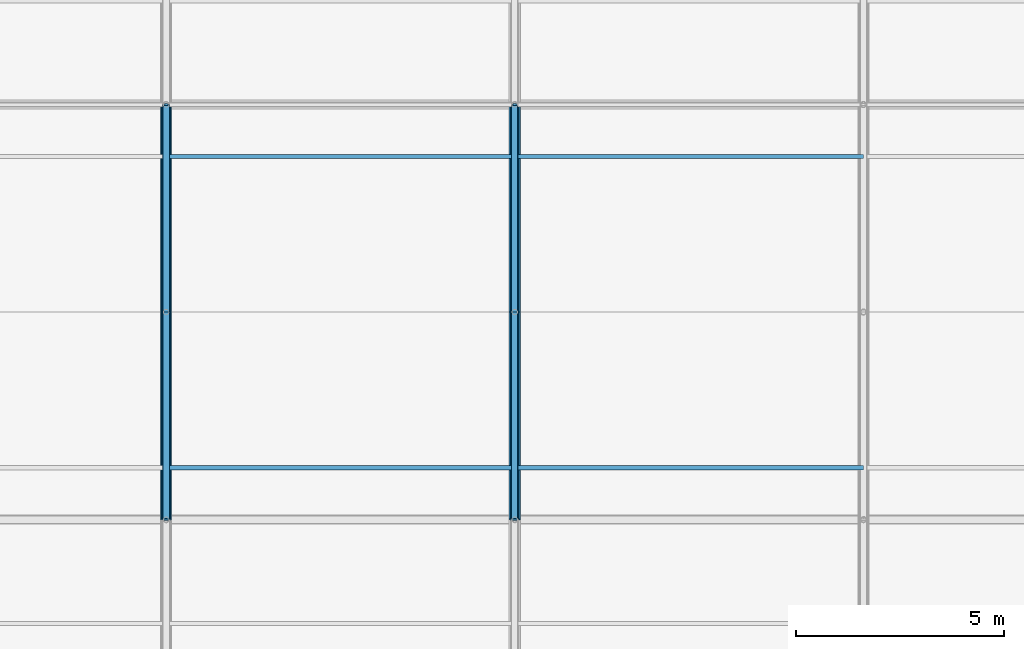
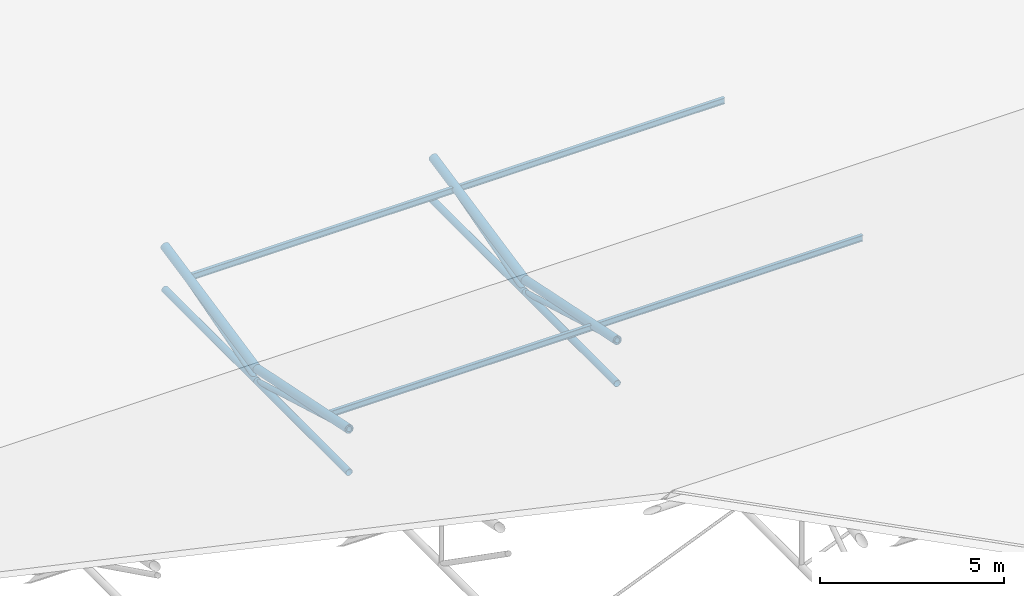
# One storey, part 89 of 194: 12 members, 4 beams.
"""IFC4 building model written with IfcOpenShell, lengths in metres."""

from ifc_helpers import new_model, si_unit, direction, frame, origin, origin_2d, place, context, subcontext, project, spatial, hollow_circle, i_section, extrude, material, material_profile, profile_set, type_object, element, save


model = new_model("IFC4")

# Units and contexts
model_context = context("Model", 3, precision=1e-05, world=origin(), true_north=direction((0.0, 1.0)))
body_context = subcontext(model_context, "Body", "Model", "MODEL_VIEW")
ifc_project = project(units=[si_unit("LENGTHUNIT", "METRE"), si_unit("AREAUNIT", "SQUARE_METRE"), si_unit("VOLUMEUNIT", "CUBIC_METRE"), si_unit("PLANEANGLEUNIT", "RADIAN"), si_unit("MASSUNIT", "GRAM", prefix="KILO")], contexts=[model_context])

# Site, building, storey
site_placement = place(None, origin())
site = spatial("IfcSite", under=ifc_project, at=site_placement, CompositionType="ELEMENT")
building_placement = place(site_placement, origin())
building = spatial("IfcBuilding", under=site, at=building_placement, Name="Kazenagashi Tramway Depot", CompositionType="ELEMENT")
storey_placement = place(building_placement, frame((0.0, 0.0, 23.7)))
storey = spatial("IfcBuildingStorey", under=building, at=storey_placement, Name="ROOF", CompositionType="ELEMENT", Elevation=23.7)

# Beams
ifc_material_1 = material(Name="Steel SN400B", Category="steel")
ifc_material_profile_1 = material_profile(ifc_material_1, i_section(OverallWidth=0.1, OverallDepth=0.2, WebThickness=0.0055, FlangeThickness=0.008, at=origin_2d()), Name="H-200x100x5.5x8")
ifc_profile_set_1 = profile_set([ifc_material_profile_1], Name="Steel SN400B")
beam_type = type_object("IfcBeamType", Name="PR-01", PredefinedType="USERDEFINED", material=ifc_profile_set_1)
for number, where, z_axis, x_axis, name in (
    (1, (128.8, 96.25, -12.955), (1.0, 0.0, 0.0), (0.0, 1.0, 0.0), "Beam PR-01 BM-2118"),
    (2, (137.2, 96.25, -12.955), (1.0, 0.0, 0.0), (0.0, 1.0, 0.0), "Beam PR-01 BM-2119"),
    (3, (128.8, 103.75, -12.955), (1.0, 0.0, 0.0), (0.0, 1.0, 0.0), "Beam PR-01 BM-2136"),
    (4, (137.2, 103.75, -12.955), (1.0, 0.0, 0.0), (0.0, 1.0, 0.0), "Beam PR-01 BM-2137"),
):
    element("IfcBeam", number, at=place(storey_placement, frame(where, z_axis=z_axis, x_axis=x_axis)), inside=storey, type_object=beam_type, Name=name, ObjectType="PURLIN", PredefinedType="USERDEFINED", context=body_context, shape_type="SweptSolid", body=[
        extrude(i_section(OverallWidth=0.1, OverallDepth=0.2, WebThickness=0.0055, FlangeThickness=0.008, at=origin_2d()), origin(), (0.0, 0.0, 1.0), 8.4),
    ])

# Members
ifc_material_2 = material(Name="Steel STK490", Category="steel")
ifc_material_profile_2 = material_profile(ifc_material_2, hollow_circle(Radius=0.1337, WallThickness=0.0093, at=origin_2d()), Name="CHS-267.4x9.3")
ifc_profile_set_2 = profile_set([ifc_material_profile_2], Name="Steel STK490")
member_type_1 = type_object("IfcMemberType", Name="TC-01", PredefinedType="CHORD", material=ifc_profile_set_2)
for number, where, z_axis, x_axis, name in (
    (5, (128.8, 95.0, -12.667), (0.0, 0.979317999984, -0.202327098797), (-1.0, 0.0, 0.0), "Tubular Space Frame TC-01 MEM-0626"),
    (6, (128.8, 100.0, -13.7), (0.0, 0.979317999984, 0.202327098797), (-1.0, 0.0, 0.0), "Tubular Space Frame TC-01 MEM-0642"),
    (7, (137.2, 95.0, -12.667), (0.0, 0.979317999984, -0.202327098797), (-1.0, 0.0, 0.0), "Tubular Space Frame TC-01 MEM-0687"),
    (8, (137.2, 100.0, -13.7), (0.0, 0.979317999984, 0.202327098797), (-1.0, 0.0, 0.0), "Tubular Space Frame TC-01 MEM-0703"),
):
    element("IfcMember", number, at=place(storey_placement, frame(where, z_axis=z_axis, x_axis=x_axis)), inside=storey, type_object=member_type_1, Name=name, PredefinedType="CHORD", context=body_context, shape_type="SweptSolid", body=[
        extrude(hollow_circle(Radius=0.1337, WallThickness=0.0093, at=origin_2d()), origin(), (0.0, 0.0, 1.0), 5.105594),
    ])
ifc_material_profile_3 = material_profile(ifc_material_2, hollow_circle(Radius=0.10815, WallThickness=0.0082, at=origin_2d()), Name="CHS-216.3x8.2")
ifc_profile_set_3 = profile_set([ifc_material_profile_3], Name="Steel STK490")
member_type_2 = type_object("IfcMemberType", Name="TC-02", PredefinedType="CHORD", material=ifc_profile_set_3)
for number, where, z_axis, x_axis, name in (
    (9, (128.8, 95.0, -14.1), (0.0, 1.0, 0.0), (-1.0, 0.0, 0.0), "Tubular Space Frame TC-02 MEM-0627"),
    (10, (128.8, 100.0, -14.1), (0.0, 1.0, 0.0), (-1.0, 0.0, 0.0), "Tubular Space Frame TC-02 MEM-0643"),
    (11, (137.2, 95.0, -14.1), (0.0, 1.0, 0.0), (-1.0, 0.0, 0.0), "Tubular Space Frame TC-02 MEM-0688"),
    (12, (137.2, 100.0, -14.1), (0.0, 1.0, 0.0), (-1.0, 0.0, 0.0), "Tubular Space Frame TC-02 MEM-0704"),
):
    element("IfcMember", number, at=place(storey_placement, frame(where, z_axis=z_axis, x_axis=x_axis)), inside=storey, type_object=member_type_2, Name=name, PredefinedType="CHORD", context=body_context, shape_type="SweptSolid", body=[
        extrude(hollow_circle(Radius=0.10815, WallThickness=0.0082, at=origin_2d()), origin(), (0.0, 0.0, 1.0), 5.0),
    ])
ifc_material_profile_4 = material_profile(ifc_material_2, hollow_circle(Radius=0.0826, WallThickness=0.0071, at=origin_2d()), Name="CHS-165.2x7.1")
ifc_profile_set_4 = profile_set([ifc_material_profile_4], Name="Steel STK490")
member_type_3 = type_object("IfcMemberType", Name="TS-01", PredefinedType="STRUT", material=ifc_profile_set_4)
for number, where, z_axis, x_axis, name in (
    (13, (128.8, 95.0, -12.667), (0.0, 0.961298717795, -0.27550821252), (-1.0, 0.0, 0.0), "Tubular Space Frame TS-01 MEM-0628"),
    (14, (128.8, 100.0, -14.1), (0.0, 0.961298717795, 0.27550821252), (-1.0, 0.0, 0.0), "Tubular Space Frame TS-01 MEM-0644"),
    (15, (137.2, 95.0, -12.667), (0.0, 0.961298717795, -0.27550821252), (-1.0, 0.0, 0.0), "Tubular Space Frame TS-01 MEM-0689"),
    (16, (137.2, 100.0, -14.1), (0.0, 0.961298717795, 0.27550821252), (-1.0, 0.0, 0.0), "Tubular Space Frame TS-01 MEM-0705"),
):
    element("IfcMember", number, at=place(storey_placement, frame(where, z_axis=z_axis, x_axis=x_axis)), inside=storey, type_object=member_type_3, Name=name, PredefinedType="STRUT", context=body_context, shape_type="SweptSolid", body=[
        extrude(hollow_circle(Radius=0.0826, WallThickness=0.0071, at=origin_2d()), origin(), (0.0, 0.0, 1.0), 5.201297),
    ])

save(model, "model.ifc")
